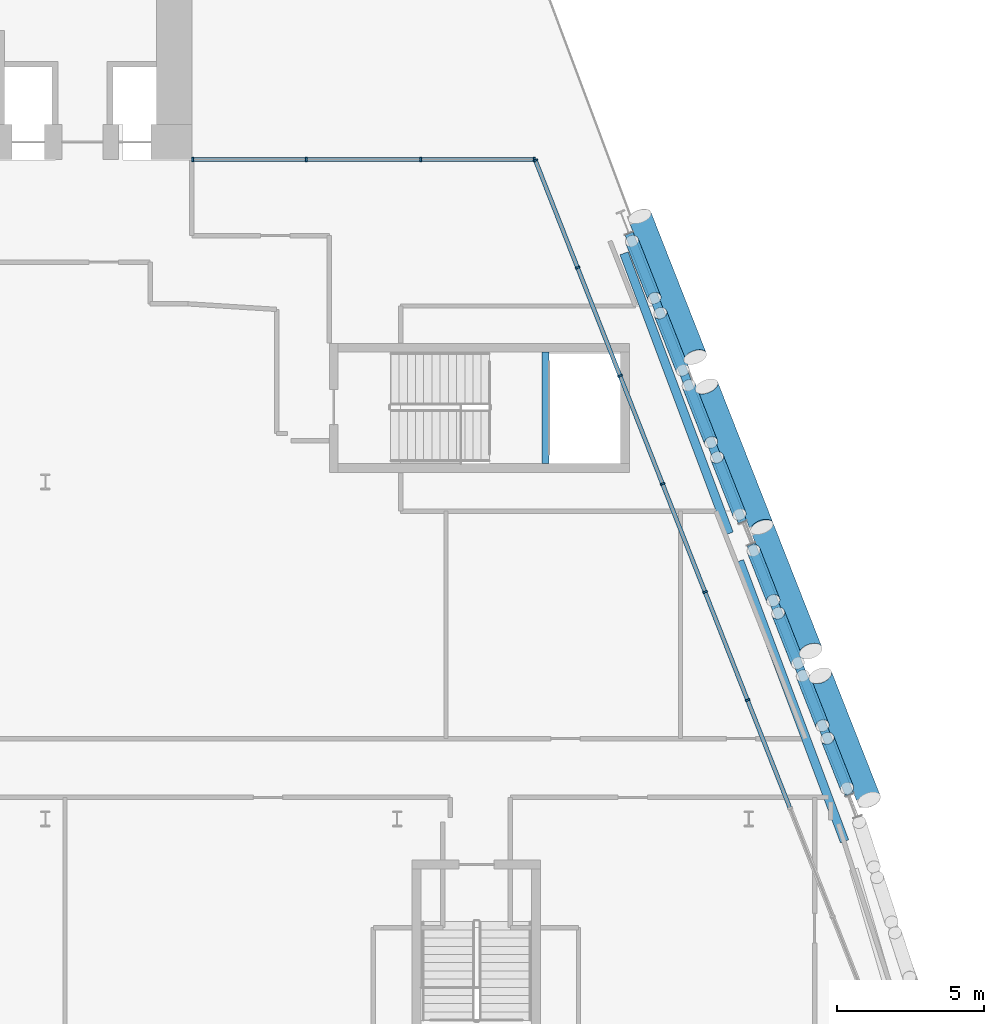
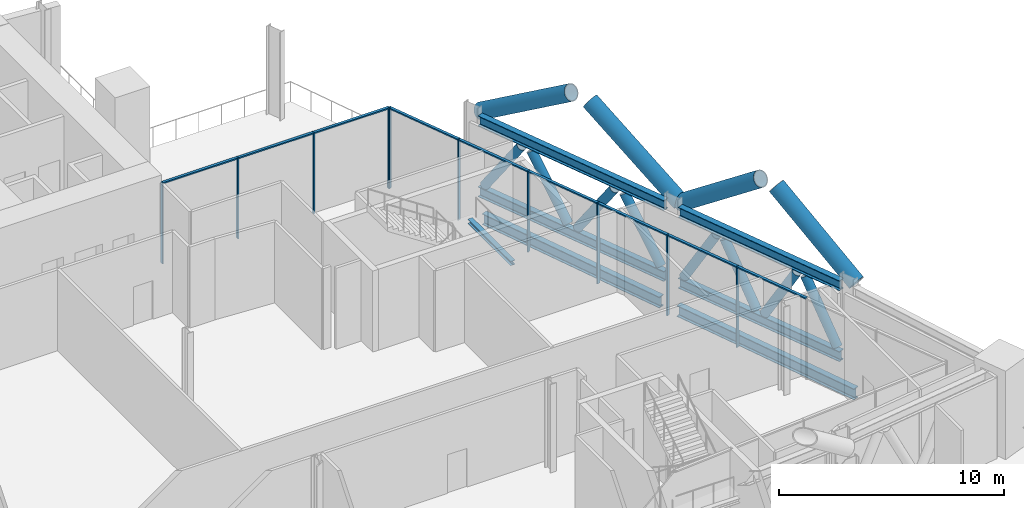
# One storey, part 12 of 39: 35 members, 3 beams, 2 elements without a shape of their own.
"""IFC4 building model written with IfcOpenShell, lengths in metres."""

from ifc_helpers import new_model, si_unit, direction, frame, origin, origin_2d, place, context, subcontext, project, spatial, rectangle, hollow_circle, i_section, extrude, material, material_profile, profile_set, type_object, element, aggregate, save


model = new_model("IFC4")

# Units and contexts
model_context = context("Model", 3, precision=1e-05, world=origin(), true_north=direction((0.0, 1.0)))
body_context = subcontext(model_context, "Body", "Model", "MODEL_VIEW")
ifc_project = project(units=[si_unit("LENGTHUNIT", "METRE"), si_unit("AREAUNIT", "SQUARE_METRE"), si_unit("VOLUMEUNIT", "CUBIC_METRE"), si_unit("PLANEANGLEUNIT", "RADIAN"), si_unit("MASSUNIT", "GRAM", prefix="KILO")], contexts=[model_context])

# Site, building, storey
site_placement = place(None, origin())
site = spatial("IfcSite", under=ifc_project, at=site_placement, CompositionType="ELEMENT")
building_placement = place(site_placement, origin())
building = spatial("IfcBuilding", under=site, at=building_placement, Name="Wharfspan Tower", CompositionType="ELEMENT")
storey_placement = place(building_placement, frame((0.0, 0.0, 91.899902)))
storey = spatial("IfcBuildingStorey", under=building, at=storey_placement, Name="L20", CompositionType="ELEMENT", Elevation=91.899902)

# Beams
ifc_material_1 = material(Name="Steel S355J2", Category="steel")
ifc_material_profile_1 = material_profile(ifc_material_1, i_section(OverallWidth=0.300049, OverallDepth=0.600098, WebThickness=0.015381, FlangeThickness=0.030029, FilletRadius=0.0271, at=origin_2d()))
ifc_profile_set_1 = profile_set([ifc_material_profile_1], Name="Steel S355J2")
beam_type_1 = type_object("IfcBeamType", Name="Edge beam HEB 600", PredefinedType="SPANDREL", material=ifc_profile_set_1)
for number, where, z_axis, x_axis, name in (
    (1, (87.269043, 10.736328, -0.75), (-0.351126, 0.936328, 0.0), (-0.936328, -0.351126, 0.0), "Edge beam E L20 PE.1 to PE.2"),
    (2, (83.331543, 21.236328, -0.75), (-0.351126, 0.936328, 0.0), (-0.936328, -0.351126, 0.0), "Edge beam E L20 PE.2 to PE.3"),
):
    element("IfcBeam", number, at=place(storey_placement, frame(where, z_axis=z_axis, x_axis=x_axis)), inside=storey, type_object=beam_type_1, Name=name, PredefinedType="SPANDREL", context=body_context, shape_type="SweptSolid", body=[
        extrude(i_section(OverallWidth=0.300049, OverallDepth=0.600098, WebThickness=0.015381, FlangeThickness=0.030029, FilletRadius=0.0271, at=origin_2d()), origin(), (0.0, 0.0, 1.0), 10.214111),
    ])
ifc_material_profile_2 = material_profile(ifc_material_1, i_section(OverallWidth=0.23999, OverallDepth=0.23999, WebThickness=0.01001, FlangeThickness=0.01709, FilletRadius=0.020996, at=origin_2d()))
ifc_profile_set_2 = profile_set([ifc_material_profile_2], Name="Steel S355J2")
beam_type_2 = type_object("IfcBeamType", Name="Landing edge beam HEB 240", PredefinedType="BEAM", material=ifc_profile_set_2)
beam_placement = place(storey_placement, frame((77.070312, 23.621094, 2.080078), z_axis=(0.0, 1.0, 0.0), x_axis=(-1.0, 0.0, 0.0)))
element("IfcBeam", 3, at=beam_placement, inside=storey, type_object=beam_type_2, Name="Landing edge beam", PredefinedType="BEAM", context=body_context, shape_type="SweptSolid", body=[
    extrude(i_section(OverallWidth=0.23999, OverallDepth=0.23999, WebThickness=0.01001, FlangeThickness=0.01709, FilletRadius=0.020996, at=origin_2d()), origin(), (0.0, 0.0, 1.0), 3.807861),
])

# Curtain wall, members
ifc_material_2 = material(Name="Aluminium 6063-T6", Category="aluminium")
curtain_wall_type = type_object("IfcCurtainWallType", Name="CURTAIN WALL BAND RECESS", PredefinedType="NOTDEFINED", material=ifc_material_2)
curtain_wall_1_placement = place(storey_placement, origin())
curtain_wall_1 = element("IfcCurtainWall", 4, at=curtain_wall_1_placement, inside=storey, type_object=curtain_wall_type, Name="Recess glazing R3", PredefinedType="NOTDEFINED")
ifc_material_profile_3 = material_profile(ifc_material_2, rectangle(XDim=0.159912, YDim=0.060059, at=origin_2d()))
ifc_profile_set_3 = profile_set([ifc_material_profile_3], Name="Aluminium 6063-T6")
member_type_1 = type_object("IfcMemberType", Name="MULLION BAND RECESS 60x160", PredefinedType="MULLION", material=ifc_profile_set_3)
member_1_placement = place(storey_placement, frame((65.030029, 34.0, 0.0), z_axis=(0.0, 0.0, 1.0), x_axis=(0.0, 1.0, 0.0)))
member_1 = element("IfcMember", 5, at=member_1_placement, type_object=member_type_1, Name="Recess glazing R3 mullion 1", PredefinedType="MULLION", context=body_context, shape_type="SweptSolid", body=[
    extrude(rectangle(XDim=0.159912, YDim=0.060059, at=origin_2d()), origin(), (0.0, 0.0, 1.0), 4.400146),
])
member_2_placement = place(storey_placement, frame((68.902832, 34.0, 0.0), z_axis=(0.0, 0.0, 1.0), x_axis=(0.0, 1.0, 0.0)))
member_2 = element("IfcMember", 6, at=member_2_placement, type_object=member_type_1, Name="Recess glazing R3 mullion 2", PredefinedType="MULLION", context=body_context, shape_type="SweptSolid", body=[
    extrude(rectangle(XDim=0.159912, YDim=0.060059, at=origin_2d()), origin(), (0.0, 0.0, 1.0), 4.400146),
])
member_3_placement = place(storey_placement, frame((72.805664, 34.0, 0.0), z_axis=(0.0, 0.0, 1.0), x_axis=(0.0, 1.0, 0.0)))
member_3 = element("IfcMember", 7, at=member_3_placement, type_object=member_type_1, Name="Recess glazing R3 mullion 3", PredefinedType="MULLION", context=body_context, shape_type="SweptSolid", body=[
    extrude(rectangle(XDim=0.159912, YDim=0.060059, at=origin_2d()), origin(), (0.0, 0.0, 1.0), 4.400146),
])
member_4_placement = place(storey_placement, frame((76.678711, 34.0, 0.0), z_axis=(0.0, 0.0, 1.0), x_axis=(0.0, 1.0, 0.0)))
member_4 = element("IfcMember", 8, at=member_4_placement, type_object=member_type_1, Name="Recess glazing R3 mullion 4", PredefinedType="MULLION", context=body_context, shape_type="SweptSolid", body=[
    extrude(rectangle(XDim=0.159912, YDim=0.060059, at=origin_2d()), origin(), (0.0, 0.0, 1.0), 4.400146),
])

curtain_wall_2_placement = place(storey_placement, origin())
curtain_wall_2 = element("IfcCurtainWall", 9, at=curtain_wall_2_placement, inside=storey, type_object=curtain_wall_type, Name="Recess glazing R4", PredefinedType="NOTDEFINED")
member_5_placement = place(storey_placement, frame((76.719482, 33.972168, 0.0), z_axis=(0.0, 0.0, 1.0), x_axis=(0.930702, 0.365778, 0.0)))
member_5 = element("IfcMember", 10, at=member_5_placement, type_object=member_type_1, Name="Recess glazing R4 mullion 1", PredefinedType="MULLION", context=body_context, shape_type="SweptSolid", body=[
    extrude(rectangle(XDim=0.159912, YDim=0.060059, at=origin_2d()), origin(), (0.0, 0.0, 1.0), 4.400146),
])
member_6_placement = place(storey_placement, frame((78.158447, 30.310791, 0.0), z_axis=(0.0, 0.0, 1.0), x_axis=(0.930702, 0.365778, 0.0)))
member_6 = element("IfcMember", 11, at=member_6_placement, type_object=member_type_1, Name="Recess glazing R4 mullion 2", PredefinedType="MULLION", context=body_context, shape_type="SweptSolid", body=[
    extrude(rectangle(XDim=0.159912, YDim=0.060059, at=origin_2d()), origin(), (0.0, 0.0, 1.0), 4.400146),
])
member_7_placement = place(storey_placement, frame((79.608398, 26.621826, 0.0), z_axis=(0.0, 0.0, 1.0), x_axis=(0.930702, 0.365778, 0.0)))
member_7 = element("IfcMember", 12, at=member_7_placement, type_object=member_type_1, Name="Recess glazing R4 mullion 3", PredefinedType="MULLION", context=body_context, shape_type="SweptSolid", body=[
    extrude(rectangle(XDim=0.159912, YDim=0.060059, at=origin_2d()), origin(), (0.0, 0.0, 1.0), 4.400146),
])
member_8_placement = place(storey_placement, frame((81.05835, 22.932617, 0.0), z_axis=(0.0, 0.0, 1.0), x_axis=(0.930702, 0.365778, 0.0)))
member_8 = element("IfcMember", 13, at=member_8_placement, type_object=member_type_1, Name="Recess glazing R4 mullion 4", PredefinedType="MULLION", context=body_context, shape_type="SweptSolid", body=[
    extrude(rectangle(XDim=0.159912, YDim=0.060059, at=origin_2d()), origin(), (0.0, 0.0, 1.0), 4.400146),
])
member_9_placement = place(storey_placement, frame((82.508057, 19.243408, 0.0), z_axis=(0.0, 0.0, 1.0), x_axis=(0.930702, 0.365778, 0.0)))
member_9 = element("IfcMember", 14, at=member_9_placement, type_object=member_type_1, Name="Recess glazing R4 mullion 5", PredefinedType="MULLION", context=body_context, shape_type="SweptSolid", body=[
    extrude(rectangle(XDim=0.159912, YDim=0.060059, at=origin_2d()), origin(), (0.0, 0.0, 1.0), 4.400146),
])
member_10_placement = place(storey_placement, frame((83.958008, 15.554199, 0.0), z_axis=(0.0, 0.0, 1.0), x_axis=(0.930702, 0.365778, 0.0)))
member_10 = element("IfcMember", 15, at=member_10_placement, type_object=member_type_1, Name="Recess glazing R4 mullion 6", PredefinedType="MULLION", context=body_context, shape_type="SweptSolid", body=[
    extrude(rectangle(XDim=0.159912, YDim=0.060059, at=origin_2d()), origin(), (0.0, 0.0, 1.0), 4.400146),
])

# Members
ifc_material_3 = material(Name="Steel S460NH", Category="steel")
ifc_material_profile_4 = material_profile(ifc_material_3, hollow_circle(Radius=0.406494, WallThickness=0.040039, at=origin_2d()))
ifc_profile_set_4 = profile_set([ifc_material_profile_4], Name="Steel S460NH")
member_type_2 = type_object("IfcMemberType", Name="Mega brace CHS 813x40", PredefinedType="BRACE", material=ifc_profile_set_4)
member_11_placement = place(storey_placement, frame((84.448975, 21.454102, 4.100098), z_axis=(-0.309187, 0.786719, 0.534301), x_axis=(-0.930704, -0.365777, 4e-06)))
element("IfcMember", 16, at=member_11_placement, inside=storey, type_object=member_type_2, Name="Mega brace E5 L21 part 1", PredefinedType="BRACE", context=body_context, shape_type="SweptSolid", body=[
    extrude(hollow_circle(Radius=0.406494, WallThickness=0.040039, at=origin_2d()), origin(), (0.0, 0.0, 1.0), 6.098145),
])
member_12_placement = place(storey_placement, frame((80.282471, 32.05542, 4.100098), z_axis=(0.309223, -0.786709, 0.534294), x_axis=(0.930685, 0.365812, -3e-06)))
element("IfcMember", 17, at=member_12_placement, inside=storey, type_object=member_type_2, Name="Mega brace E5 L21 part 3", PredefinedType="BRACE", context=body_context, shape_type="SweptSolid", body=[
    extrude(hollow_circle(Radius=0.406494, WallThickness=0.040039, at=origin_2d()), origin(), (0.0, 0.0, 1.0), 6.098389),
])
member_13_placement = place(storey_placement, frame((88.103516, 12.155518, 4.100098), z_axis=(-0.29676, 0.755051, 0.584664), x_axis=(-0.930695, -0.365797, 4e-06)))
element("IfcMember", 18, at=member_13_placement, inside=storey, type_object=member_type_2, Name="Mega brace E6 L21 part 1", PredefinedType="BRACE", context=body_context, shape_type="SweptSolid", body=[
    extrude(hollow_circle(Radius=0.406494, WallThickness=0.040039, at=origin_2d()), origin(), (0.0, 0.0, 1.0), 5.59668),
])
member_14_placement = place(storey_placement, frame((84.448975, 21.454102, 4.100098), z_axis=(0.29675, -0.75507, 0.584645), x_axis=(0.930704, 0.365779, 4e-06)))
element("IfcMember", 19, at=member_14_placement, inside=storey, type_object=member_type_2, Name="Mega brace E6 L21 part 3", PredefinedType="BRACE", context=body_context, shape_type="SweptSolid", body=[
    extrude(hollow_circle(Radius=0.406494, WallThickness=0.040039, at=origin_2d()), origin(), (0.0, 0.0, 1.0), 5.596924),
])

# Member
ifc_material_profile_5 = material_profile(ifc_material_2, rectangle(XDim=0.139893, YDim=0.070068, at=origin_2d()))
ifc_profile_set_5 = profile_set([ifc_material_profile_5], Name="Aluminium 6063-T6")
member_type_3 = type_object("IfcMemberType", Name="TRANSOM BAND RECESS 70x140", PredefinedType="USERDEFINED", material=ifc_profile_set_5)
member_15_placement = place(storey_placement, frame((65.060059, 34.0, 4.36499), z_axis=(1.0, 0.0, 0.0), x_axis=(0.0, 1.0, 0.0)))
member_15 = element("IfcMember", 20, at=member_15_placement, type_object=member_type_3, Name="Recess glazing R3 transom 1", ObjectType="TRANSOM", PredefinedType="USERDEFINED", context=body_context, shape_type="SweptSolid", body=[
    extrude(rectangle(XDim=0.139893, YDim=0.070068, at=origin_2d()), origin(), (0.0, 0.0, 1.0), 3.812744),
])

member_16_placement = place(storey_placement, frame((68.932861, 34.0, 4.36499), z_axis=(1.0, 0.0, 0.0), x_axis=(0.0, 1.0, 0.0)))
member_16 = element("IfcMember", 21, at=member_16_placement, type_object=member_type_3, Name="Recess glazing R3 transom 2", ObjectType="TRANSOM", PredefinedType="USERDEFINED", context=body_context, shape_type="SweptSolid", body=[
    extrude(rectangle(XDim=0.139893, YDim=0.070068, at=origin_2d()), origin(), (0.0, 0.0, 1.0), 3.842773),
])

member_17_placement = place(storey_placement, frame((72.835693, 34.0, 4.36499), z_axis=(1.0, 0.0, 0.0), x_axis=(0.0, 1.0, 0.0)))
member_17 = element("IfcMember", 22, at=member_17_placement, type_object=member_type_3, Name="Recess glazing R3 transom 3", ObjectType="TRANSOM", PredefinedType="USERDEFINED", context=body_context, shape_type="SweptSolid", body=[
    extrude(rectangle(XDim=0.139893, YDim=0.070068, at=origin_2d()), origin(), (0.0, 0.0, 1.0), 3.812988),
])

aggregate(curtain_wall_1, [member_1, member_2, member_3, member_4, member_15, member_16, member_17])

member_18_placement = place(storey_placement, frame((76.730469, 33.944092, 4.36499), z_axis=(0.365799, -0.930694, 0.0), x_axis=(0.930694, 0.365799, 0.0)))
member_18 = element("IfcMember", 23, at=member_18_placement, type_object=member_type_3, Name="Recess glazing R4 transom 1", ObjectType="TRANSOM", PredefinedType="USERDEFINED", context=body_context, shape_type="SweptSolid", body=[
    extrude(rectangle(XDim=0.139893, YDim=0.070068, at=origin_2d()), origin(), (0.0, 0.0, 1.0), 3.873779),
])

member_19_placement = place(storey_placement, frame((78.169434, 30.282959, 4.36499), z_axis=(0.365788, -0.930698, 0.0), x_axis=(0.930698, 0.365788, 0.0)))
member_19 = element("IfcMember", 24, at=member_19_placement, type_object=member_type_3, Name="Recess glazing R4 transom 2", ObjectType="TRANSOM", PredefinedType="USERDEFINED", context=body_context, shape_type="SweptSolid", body=[
    extrude(rectangle(XDim=0.139893, YDim=0.070068, at=origin_2d()), origin(), (0.0, 0.0, 1.0), 3.903809),
])

member_20_placement = place(storey_placement, frame((79.619385, 26.59375, 4.36499), z_axis=(0.365788, -0.930698, 0.0), x_axis=(0.930698, 0.365788, 0.0)))
member_20 = element("IfcMember", 25, at=member_20_placement, type_object=member_type_3, Name="Recess glazing R4 transom 3", ObjectType="TRANSOM", PredefinedType="USERDEFINED", context=body_context, shape_type="SweptSolid", body=[
    extrude(rectangle(XDim=0.139893, YDim=0.070068, at=origin_2d()), origin(), (0.0, 0.0, 1.0), 3.903809),
])

member_21_placement = place(storey_placement, frame((81.069092, 22.904541, 4.36499), z_axis=(0.365809, -0.93069, 0.0), x_axis=(0.93069, 0.365809, 0.0)))
member_21 = element("IfcMember", 26, at=member_21_placement, type_object=member_type_3, Name="Recess glazing R4 transom 4", ObjectType="TRANSOM", PredefinedType="USERDEFINED", context=body_context, shape_type="SweptSolid", body=[
    extrude(rectangle(XDim=0.139893, YDim=0.070068, at=origin_2d()), origin(), (0.0, 0.0, 1.0), 3.903564),
])

member_22_placement = place(storey_placement, frame((82.519043, 19.215576, 4.36499), z_axis=(0.365788, -0.930698, 0.0), x_axis=(0.930698, 0.365788, 0.0)))
member_22 = element("IfcMember", 27, at=member_22_placement, type_object=member_type_3, Name="Recess glazing R4 transom 5", ObjectType="TRANSOM", PredefinedType="USERDEFINED", context=body_context, shape_type="SweptSolid", body=[
    extrude(rectangle(XDim=0.139893, YDim=0.070068, at=origin_2d()), origin(), (0.0, 0.0, 1.0), 3.903809),
])

member_23_placement = place(storey_placement, frame((83.968994, 15.526367, 4.36499), z_axis=(0.365788, -0.930698, 0.0), x_axis=(0.930698, 0.365788, 0.0)))
member_23 = element("IfcMember", 28, at=member_23_placement, type_object=member_type_3, Name="Recess glazing R4 transom 6", ObjectType="TRANSOM", PredefinedType="USERDEFINED", context=body_context, shape_type="SweptSolid", body=[
    extrude(rectangle(XDim=0.139893, YDim=0.070068, at=origin_2d()), origin(), (0.0, 0.0, 1.0), 3.903809),
])

aggregate(curtain_wall_2, [member_5, member_6, member_7, member_8, member_9, member_10, member_18, member_19, member_20, member_21, member_22, member_23])

# Members
ifc_material_profile_6 = material_profile(ifc_material_1, i_section(OverallWidth=0.300049, OverallDepth=0.550049, WebThickness=0.014893, FlangeThickness=0.029053, FilletRadius=0.0271, at=origin_2d()))
ifc_profile_set_6 = profile_set([ifc_material_profile_6], Name="Steel S355J2")
member_type_4 = type_object("IfcMemberType", Name="Truss chord HEB 550", PredefinedType="CHORD", material=ifc_profile_set_6)
for number, where, z_axis, x_axis, name in (
    (29, (87.437988, 12.331299, 4.125), (-0.365783, 0.9307, 0.0), (-0.9307, -0.365783, 0.0), "Belt truss chord T L20 E PE.1 to PE.2"),
    (30, (87.437988, 12.331299, 0.275146), (-0.365783, 0.9307, 0.0), (-0.9307, -0.365783, 0.0), "Belt truss chord B L20 E PE.1 to PE.2"),
):
    element("IfcMember", number, at=place(storey_placement, frame(where, z_axis=z_axis, x_axis=x_axis)), inside=storey, type_object=member_type_4, Name=name, PredefinedType="CHORD", context=body_context, shape_type="SweptSolid", body=[
        extrude(i_section(OverallWidth=0.300049, OverallDepth=0.550049, WebThickness=0.014893, FlangeThickness=0.029053, FilletRadius=0.0271, at=origin_2d()), origin(), (0.0, 0.0, 1.0), 9.176758),
    ])
for number, where, z_axis, x_axis, name in (
    (31, (83.783691, 21.629883, 4.125), (-0.365792, 0.930696, 0.0), (-0.930696, -0.365792, 0.0), "Belt truss chord T L20 E PE.2 to PE.3"),
    (32, (83.783691, 21.629883, 0.275146), (-0.365792, 0.930696, 0.0), (-0.930696, -0.365792, 0.0), "Belt truss chord B L20 E PE.2 to PE.3"),
):
    element("IfcMember", number, at=place(storey_placement, frame(where, z_axis=z_axis, x_axis=x_axis)), inside=storey, type_object=member_type_4, Name=name, PredefinedType="CHORD", context=body_context, shape_type="SweptSolid", body=[
        extrude(i_section(OverallWidth=0.300049, OverallDepth=0.550049, WebThickness=0.014893, FlangeThickness=0.029053, FilletRadius=0.0271, at=origin_2d()), origin(), (0.0, 0.0, 1.0), 10.57666),
    ])
ifc_material_profile_7 = material_profile(ifc_material_3, hollow_circle(Radius=0.228516, WallThickness=0.016113, at=origin_2d()))
ifc_profile_set_7 = profile_set([ifc_material_profile_7], Name="Steel S460NH")
member_type_5 = type_object("IfcMemberType", Name="Truss diagonal CHS 457x16", PredefinedType="BRACE", material=ifc_profile_set_7)
for number, where, z_axis, x_axis, name in (
    (33, (87.352539, 12.548584, 0.666992), (-0.187215, 0.476417, 0.859056), (-0.930717, -0.365737, -1e-06), "Belt truss diagonal L20 E PE.1 to PE.2 1"),
    (34, (86.513428, 14.683838, 3.733154), (-0.187215, 0.476417, -0.859056), (-0.930717, -0.365737, 1e-06), "Belt truss diagonal L20 E PE.1 to PE.2 2"),
    (35, (85.674316, 16.819092, 0.666992), (-0.187215, 0.476417, 0.859056), (-0.930717, -0.365737, -1e-06), "Belt truss diagonal L20 E PE.1 to PE.2 3"),
    (36, (84.835205, 18.954346, 3.733154), (-0.187281, 0.476411, -0.859045), (-0.930676, -0.365858, -1e-06), "Belt truss diagonal L20 E PE.1 to PE.2 4"),
):
    element("IfcMember", number, at=place(storey_placement, frame(where, z_axis=z_axis, x_axis=x_axis)), inside=storey, type_object=member_type_5, Name=name, PredefinedType="BRACE", context=body_context, shape_type="SweptSolid", body=[
        extrude(hollow_circle(Radius=0.228516, WallThickness=0.016113, at=origin_2d()), origin(), (0.0, 0.0, 1.0), 3.569336),
    ])
for number, where, z_axis, x_axis, name in (
    (37, (83.682129, 21.888184, 0.679443), (-0.207115, 0.52692, 0.824293), (-0.930683, -0.365821, 0.0), "Belt truss diagonal L20 E PE.2 to PE.3 1"),
    (38, (82.714844, 24.349121, 3.720703), (-0.207052, 0.526927, -0.824304), (-0.930728, -0.365721, 1e-06), "Belt truss diagonal L20 E PE.2 to PE.3 2"),
    (39, (81.747559, 26.810303, 0.679443), (-0.207059, 0.526879, 0.824333), (-0.930707, -0.36576, 0.0), "Belt truss diagonal L20 E PE.2 to PE.3 3"),
    (40, (80.780518, 29.27124, 3.720703), (-0.207115, 0.52692, -0.824293), (-0.930683, -0.365821, 0.0), "Belt truss diagonal L20 E PE.2 to PE.3 4"),
):
    element("IfcMember", number, at=place(storey_placement, frame(where, z_axis=z_axis, x_axis=x_axis)), inside=storey, type_object=member_type_5, Name=name, PredefinedType="BRACE", context=body_context, shape_type="SweptSolid", body=[
        extrude(hollow_circle(Radius=0.228516, WallThickness=0.016113, at=origin_2d()), origin(), (0.0, 0.0, 1.0), 3.689453),
    ])

save(model, "model.ifc")
